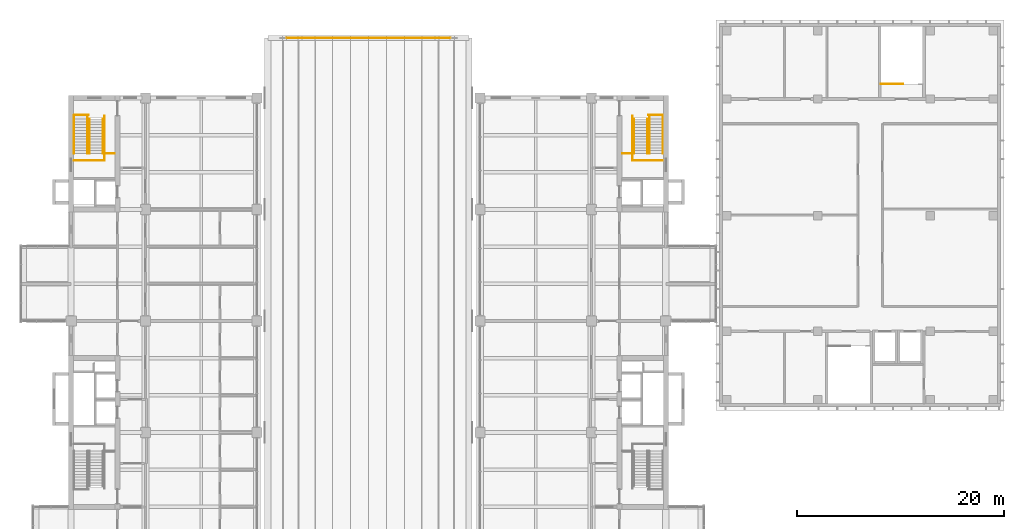
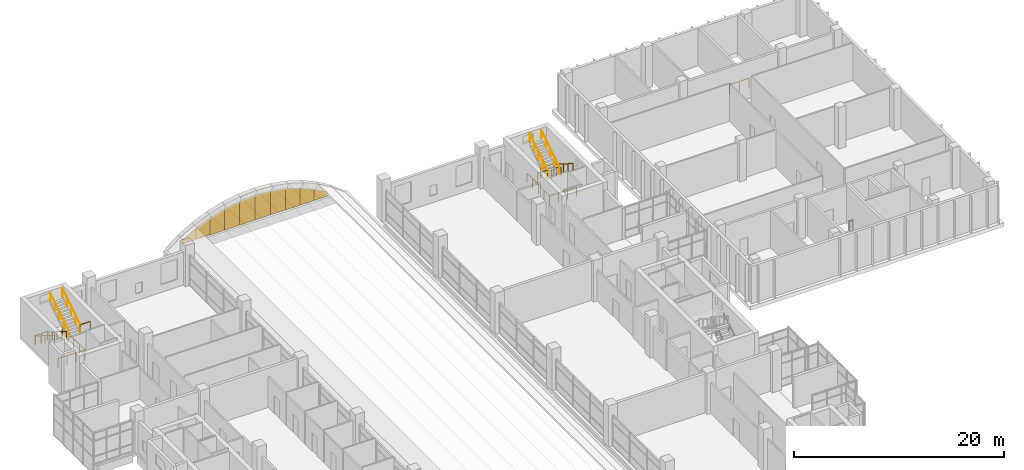
# One storey, part 42 of 45: 15 railings, 10 coverings.
"""IFC4 building model written with IfcOpenShell, lengths in metres."""

from ifc_helpers import new_model, si_unit, direction, frame, origin, origin_2d, place, context, subcontext, project, spatial, polyline, circle, outline, extrude, material, layer, layer_set, type_object, element, save


model = new_model("IFC4")

# Units and contexts
model_context = context("Model", 3, precision=1e-05, world=origin(), true_north=direction((0.0, 1.0)))
body_context = subcontext(model_context, "Body", "Model", "MODEL_VIEW")
ifc_project = project(units=[si_unit("LENGTHUNIT", "METRE"), si_unit("AREAUNIT", "SQUARE_METRE"), si_unit("VOLUMEUNIT", "CUBIC_METRE"), si_unit("PLANEANGLEUNIT", "RADIAN"), si_unit("MASSUNIT", "GRAM", prefix="KILO")], contexts=[model_context])

# Site, building, storey
site_placement = place(None, origin())
site = spatial("IfcSite", under=ifc_project, at=site_placement, CompositionType="ELEMENT")
building_placement = place(site_placement, origin())
building = spatial("IfcBuilding", under=site, at=building_placement, Name="Basin Gate Institute", CompositionType="ELEMENT")
storey_placement = place(building_placement, frame((0.0, 0.0, 22.199951171875)))
storey = spatial("IfcBuildingStorey", under=building, at=storey_placement, Name="L04", CompositionType="ELEMENT", Elevation=22.199951171875)

# Coverings
ifc_material_1 = material(Name="Laminated toughened glass", Category="glass")
ifc_layer = layer(ifc_material_1, 0.030029296875)
ifc_layer_set = layer_set([ifc_layer], Name="Atrium tympanum glazing PN88")
covering_type = type_object("IfcCoveringType", Name="Atrium tympanum glazing PN88", PredefinedType="ROOFING", material=ifc_layer_set)
covering_1_placement = place(storey_placement, frame((82.048828125, 105.699951171875, 0.0), z_axis=(0.0, -1.0, 0.0), x_axis=(1.0, 0.0, 0.0)))
element("IfcCovering", 1, at=covering_1_placement, inside=storey, type_object=covering_type, material=ifc_layer_set, Name="Atrium tympanum glazing N 2", PredefinedType="ROOFING", context=body_context, shape_type="SweptSolid", body=[
    extrude(outline(polyline([(0.0, 0.0), (1.45361328125, 0.0), (1.45361328125, 1.33740234375), (0.0, 0.485107421875), (0.0, 0.0)])), origin(), (0.0, 0.0, -1.0), 0.030029296875),
])
covering_2_placement = place(storey_placement, frame((83.50244140625, 105.699951171875, 0.0), z_axis=(0.0, -1.0, 0.0), x_axis=(1.0, 0.0, 0.0)))
element("IfcCovering", 2, at=covering_2_placement, inside=storey, type_object=covering_type, material=ifc_layer_set, Name="Atrium tympanum glazing N 3", PredefinedType="ROOFING", context=body_context, shape_type="SweptSolid", body=[
    extrude(outline(polyline([(0.0, 0.0), (1.54345703125, 0.0), (1.54345703125, 2.01318359375), (0.0, 1.33740234375), (0.0, 0.0)])), origin(), (0.0, 0.0, -1.0), 0.030029296875),
])
covering_3_placement = place(storey_placement, frame((85.0458984375, 105.699951171875, 0.0), z_axis=(0.0, -1.0, 0.0), x_axis=(1.0, 0.0, 0.0)))
element("IfcCovering", 3, at=covering_3_placement, inside=storey, type_object=covering_type, material=ifc_layer_set, Name="Atrium tympanum glazing N 4", PredefinedType="ROOFING", context=body_context, shape_type="SweptSolid", body=[
    extrude(outline(polyline([(0.0, 0.0), (1.613037109375, 0.0), (1.613037109375, 2.503173828125), (0.0, 2.01318359375), (0.0, 0.0)])), origin(), (0.0, 0.0, -1.0), 0.030029296875),
])
covering_4_placement = place(storey_placement, frame((86.658935546875, 105.699951171875, 0.0), z_axis=(0.0, -1.0, 0.0), x_axis=(1.0, 0.0, 0.0)))
element("IfcCovering", 4, at=covering_4_placement, inside=storey, type_object=covering_type, material=ifc_layer_set, Name="Atrium tympanum glazing N 5", PredefinedType="ROOFING", context=body_context, shape_type="SweptSolid", body=[
    extrude(outline(polyline([(0.0, 0.0), (1.658447265625, 0.0), (1.658447265625, 2.7998046875), (0.0, 2.503173828125), (0.0, 0.0)])), origin(), (0.0, 0.0, -1.0), 0.030029296875),
])
covering_5_placement = place(storey_placement, frame((88.3173828125, 105.699951171875, 0.0), z_axis=(0.0, -1.0, 0.0), x_axis=(1.0, 0.0, 0.0)))
element("IfcCovering", 5, at=covering_5_placement, inside=storey, type_object=covering_type, material=ifc_layer_set, Name="Atrium tympanum glazing N 6", PredefinedType="ROOFING", context=body_context, shape_type="SweptSolid", body=[
    extrude(outline(polyline([(0.0, 0.0), (1.6826171875, 0.0), (1.6826171875, 2.89892578125), (0.0, 2.7998046875), (0.0, 0.0)])), origin(), (0.0, 0.0, -1.0), 0.030029296875),
])
covering_6_placement = place(storey_placement, frame((90.0, 105.699951171875, 0.0), z_axis=(0.0, -1.0, 0.0), x_axis=(1.0, 0.0, 0.0)))
element("IfcCovering", 6, at=covering_6_placement, inside=storey, type_object=covering_type, material=ifc_layer_set, Name="Atrium tympanum glazing N 7", PredefinedType="ROOFING", context=body_context, shape_type="SweptSolid", body=[
    extrude(outline(polyline([(0.0, 0.0), (1.6826171875, 0.0), (1.6826171875, 2.7998046875), (0.0, 2.89892578125), (0.0, 0.0)])), origin(), (0.0, 0.0, -1.0), 0.030029296875),
])
covering_7_placement = place(storey_placement, frame((91.6826171875, 105.699951171875, 0.0), z_axis=(0.0, -1.0, 0.0), x_axis=(1.0, 0.0, 0.0)))
element("IfcCovering", 7, at=covering_7_placement, inside=storey, type_object=covering_type, material=ifc_layer_set, Name="Atrium tympanum glazing N 8", PredefinedType="ROOFING", context=body_context, shape_type="SweptSolid", body=[
    extrude(outline(polyline([(0.0, 0.0), (1.658447265625, 0.0), (1.658447265625, 2.503173828125), (0.0, 2.7998046875), (0.0, 0.0)])), origin(), (0.0, 0.0, -1.0), 0.030029296875),
])
covering_8_placement = place(storey_placement, frame((93.341064453125, 105.699951171875, 0.0), z_axis=(0.0, -1.0, 0.0), x_axis=(1.0, 0.0, 0.0)))
element("IfcCovering", 8, at=covering_8_placement, inside=storey, type_object=covering_type, material=ifc_layer_set, Name="Atrium tympanum glazing N 9", PredefinedType="ROOFING", context=body_context, shape_type="SweptSolid", body=[
    extrude(outline(polyline([(0.0, 0.0), (1.613037109375, 0.0), (1.613037109375, 2.01318359375), (0.0, 2.503173828125), (0.0, 0.0)])), origin(), (0.0, 0.0, -1.0), 0.030029296875),
])
covering_9_placement = place(storey_placement, frame((94.9541015625, 105.699951171875, 0.0), z_axis=(0.0, -1.0, 0.0), x_axis=(1.0, 0.0, 0.0)))
element("IfcCovering", 9, at=covering_9_placement, inside=storey, type_object=covering_type, material=ifc_layer_set, Name="Atrium tympanum glazing N 10", PredefinedType="ROOFING", context=body_context, shape_type="SweptSolid", body=[
    extrude(outline(polyline([(0.0, 0.0), (1.54345703125, 0.0), (1.54345703125, 1.33740234375), (0.0, 2.01318359375), (0.0, 0.0)])), origin(), (0.0, 0.0, -1.0), 0.030029296875),
])
covering_10_placement = place(storey_placement, frame((96.49755859375, 105.699951171875, 0.0), z_axis=(0.0, -1.0, 0.0), x_axis=(1.0, 0.0, 0.0)))
element("IfcCovering", 10, at=covering_10_placement, inside=storey, type_object=covering_type, material=ifc_layer_set, Name="Atrium tympanum glazing N 11", PredefinedType="ROOFING", context=body_context, shape_type="SweptSolid", body=[
    extrude(outline(polyline([(0.0, 0.0), (1.45361328125, 0.0), (1.45361328125, 0.485107421875), (0.0, 1.33740234375), (0.0, 0.0)])), origin(), (0.0, 0.0, -1.0), 0.030029296875),
])

# Railings
ifc_material_2 = material(Name="Stainless steel tube and glass infill", Category="steel")
railing_type_1 = type_object("IfcRailingType", Name="Block railing 1100", PredefinedType="GUARDRAIL", material=ifc_material_2)
railing_1_placement = place(storey_placement, frame((139.625, 101.2451171875, 0.0)))
element("IfcRailing", 11, at=railing_1_placement, inside=storey, type_object=railing_type_1, material=ifc_material_2, Name="Guard stairwell ST-C8 L04", PredefinedType="GUARDRAIL", context=body_context, shape_type="SweptSolid", body=[
    extrude(circle(Radius=0.02392578125, at=origin_2d()), frame((0.0, 0.0, 1.076171875), z_axis=(1.0, 0.0, 0.0), x_axis=(0.0, 1.0, 0.0)), (0.0, 0.0, 1.0), 2.125),
    extrude(circle(Radius=0.02099609375, at=origin_2d()), origin(), (0.0, 0.0, 1.0), 1.052001953125),
    extrude(circle(Radius=0.02099609375, at=origin_2d()), frame((1.0625, 0.0, 0.0)), (0.0, 0.0, 1.0), 1.052001953125),
    extrude(circle(Radius=0.02099609375, at=origin_2d()), frame((2.125, 0.0, 0.0)), (0.0, 0.0, 1.0), 1.052001953125),
])
ifc_material_3 = material(Name="Stainless steel", Category="steel")
railing_type_2 = type_object("IfcRailingType", Name="Stair guard GR1", PredefinedType="GUARDRAIL", material=ifc_material_3)
railing_2_placement = place(storey_placement, frame((64.449951171875, 98.14990234375, 0.0)))
element("IfcRailing", 12, at=railing_2_placement, inside=storey, type_object=railing_type_2, material=ifc_material_3, Name="Stair guard GR1 WN GD3-L03", PredefinedType="GUARDRAIL", context=body_context, shape_type="SweptSolid", body=[
    extrude(circle(Radius=0.02392578125, at=origin_2d()), frame((0.0, 0.0, 1.076171875), z_axis=(0.0, -1.0, 0.0), x_axis=(1.0, 0.0, 0.0)), (0.0, 0.0, 1.0), 4.31982421875),
    extrude(circle(Radius=0.02392578125, at=origin_2d()), frame((0.0, -4.31982421875, 1.076171875), z_axis=(-1.0, 0.0, 0.0), x_axis=(0.0, -1.0, 0.0)), (0.0, 0.0, 1.0), 2.949951171875),
    extrude(circle(Radius=0.02099609375, at=origin_2d()), origin(), (0.0, 0.0, 1.0), 1.052001953125),
    extrude(circle(Radius=0.02099609375, at=origin_2d()), frame((0.0, -1.080078125, 0.0)), (0.0, 0.0, 1.0), 1.052001953125),
    extrude(circle(Radius=0.02099609375, at=origin_2d()), frame((0.0, -2.159912109375, 0.0)), (0.0, 0.0, 1.0), 1.052001953125),
    extrude(circle(Radius=0.02099609375, at=origin_2d()), frame((0.0, -3.23974609375, 0.0)), (0.0, 0.0, 1.0), 1.052001953125),
    extrude(circle(Radius=0.02099609375, at=origin_2d()), frame((0.0, -4.31982421875, 0.0)), (0.0, 0.0, 1.0), 1.052001953125),
    extrude(circle(Radius=0.02099609375, at=origin_2d()), frame((-0.9833984375, -4.31982421875, 0.0)), (0.0, 0.0, 1.0), 1.052001953125),
    extrude(circle(Radius=0.02099609375, at=origin_2d()), frame((-1.966552734375, -4.31982421875, 0.0)), (0.0, 0.0, 1.0), 1.052001953125),
    extrude(circle(Radius=0.02099609375, at=origin_2d()), frame((-2.949951171875, -4.31982421875, 0.0)), (0.0, 0.0, 1.0), 1.052001953125),
])
railing_3_placement = place(storey_placement, frame((61.5, 98.22998046875, 0.0)))
element("IfcRailing", 13, at=railing_3_placement, inside=storey, type_object=railing_type_2, material=ifc_material_3, Name="Stair guard GR1 WN GD4-L03", PredefinedType="GUARDRAIL", context=body_context, shape_type="SweptSolid", body=[
    extrude(circle(Radius=0.02392578125, at=origin_2d()), frame((0.0, 0.0, 1.076171875), z_axis=(1.0, 0.0, 0.0), x_axis=(0.0, 1.0, 0.0)), (0.0, 0.0, 1.0), 1.39990234375),
    extrude(circle(Radius=0.02099609375, at=origin_2d()), origin(), (0.0, 0.0, 1.0), 1.052001953125),
    extrude(circle(Radius=0.02099609375, at=origin_2d()), frame((0.699951171875, 0.0, 0.0)), (0.0, 0.0, 1.0), 1.052001953125),
    extrude(circle(Radius=0.02099609375, at=origin_2d()), frame((1.39990234375, 0.0, 0.0)), (0.0, 0.0, 1.0), 1.052001953125),
])
railing_4_placement = place(storey_placement, frame((115.550048828125, 98.14990234375, 0.0)))
element("IfcRailing", 14, at=railing_4_placement, inside=storey, type_object=railing_type_2, material=ifc_material_3, Name="Stair guard GR1 EN GD3-L03", PredefinedType="GUARDRAIL", context=body_context, shape_type="SweptSolid", body=[
    extrude(circle(Radius=0.02392578125, at=origin_2d()), frame((0.0, 0.0, 1.076171875), z_axis=(0.0, -1.0, 0.0), x_axis=(1.0, 0.0, 0.0)), (0.0, 0.0, 1.0), 4.31982421875),
    extrude(circle(Radius=0.02392578125, at=origin_2d()), frame((0.0, -4.31982421875, 1.076171875), z_axis=(1.0, 0.0, 0.0), x_axis=(0.0, 1.0, 0.0)), (0.0, 0.0, 1.0), 2.949951171875),
    extrude(circle(Radius=0.02099609375, at=origin_2d()), origin(), (0.0, 0.0, 1.0), 1.052001953125),
    extrude(circle(Radius=0.02099609375, at=origin_2d()), frame((0.0, -1.080078125, 0.0)), (0.0, 0.0, 1.0), 1.052001953125),
    extrude(circle(Radius=0.02099609375, at=origin_2d()), frame((0.0, -2.159912109375, 0.0)), (0.0, 0.0, 1.0), 1.052001953125),
    extrude(circle(Radius=0.02099609375, at=origin_2d()), frame((0.0, -3.23974609375, 0.0)), (0.0, 0.0, 1.0), 1.052001953125),
    extrude(circle(Radius=0.02099609375, at=origin_2d()), frame((0.0, -4.31982421875, 0.0)), (0.0, 0.0, 1.0), 1.052001953125),
    extrude(circle(Radius=0.02099609375, at=origin_2d()), frame((0.9833984375, -4.31982421875, 0.0)), (0.0, 0.0, 1.0), 1.052001953125),
    extrude(circle(Radius=0.02099609375, at=origin_2d()), frame((1.966552734375, -4.31982421875, 0.0)), (0.0, 0.0, 1.0), 1.052001953125),
    extrude(circle(Radius=0.02099609375, at=origin_2d()), frame((2.949951171875, -4.31982421875, 0.0)), (0.0, 0.0, 1.0), 1.052001953125),
])
railing_5_placement = place(storey_placement, frame((118.5, 98.22998046875, 0.0)))
element("IfcRailing", 15, at=railing_5_placement, inside=storey, type_object=railing_type_2, material=ifc_material_3, Name="Stair guard GR1 EN GD4-L03", PredefinedType="GUARDRAIL", context=body_context, shape_type="SweptSolid", body=[
    extrude(circle(Radius=0.02392578125, at=origin_2d()), frame((0.0, 0.0, 1.076171875), z_axis=(-1.0, 0.0, 0.0), x_axis=(0.0, -1.0, 0.0)), (0.0, 0.0, 1.0), 1.39990234375),
    extrude(circle(Radius=0.02099609375, at=origin_2d()), origin(), (0.0, 0.0, 1.0), 1.052001953125),
    extrude(circle(Radius=0.02099609375, at=origin_2d()), frame((-0.699951171875, 0.0, 0.0)), (0.0, 0.0, 1.0), 1.052001953125),
    extrude(circle(Radius=0.02099609375, at=origin_2d()), frame((-1.39990234375, 0.0, 0.0)), (0.0, 0.0, 1.0), 1.052001953125),
])
for number, where, name in (
    (16, (64.300048828125, 94.510009765625, 2.666748046875), "Stair guard GR1 WN GD1"),
    (17, (115.699951171875, 94.510009765625, 2.666748046875), "Stair guard GR1 EN GD1"),
):
    element("IfcRailing", number, at=place(storey_placement, frame(where)), inside=storey, type_object=railing_type_2, material=ifc_material_3, Name=name, PredefinedType="GUARDRAIL", context=body_context, shape_type="SweptSolid", body=[
        extrude(circle(Radius=0.02392578125, at=origin_2d()), frame((0.0, 0.0, 1.076171875), z_axis=(0.0, 0.844224270207, 0.535990094679), x_axis=(-1.0, 0.0, 0.0)), (0.0, 0.0, 1.0), 3.980224609375),
        extrude(circle(Radius=0.02099609375, at=origin_2d()), origin(), (0.0, 0.0, 1.0), 1.052001953125),
        extrude(circle(Radius=0.02099609375, at=origin_2d()), frame((0.0, 0.840087890625, 0.533203125)), (0.0, 0.0, 1.0), 1.052001953125),
        extrude(circle(Radius=0.02099609375, at=origin_2d()), frame((0.0, 1.68017578125, 1.066650390625)), (0.0, 0.0, 1.0), 1.052001953125),
        extrude(circle(Radius=0.02099609375, at=origin_2d()), frame((0.0, 2.52001953125, 1.60009765625)), (0.0, 0.0, 1.0), 1.052001953125),
        extrude(circle(Radius=0.02099609375, at=origin_2d()), frame((0.0, 3.360107421875, 2.13330078125)), (0.0, 0.0, 1.0), 1.052001953125),
    ])
ifc_material_4 = material(Name="Stainless steel", Category="steel")
railing_type_3 = type_object("IfcRailingType", Name="Stair guard GR3", PredefinedType="GUARDRAIL", material=ifc_material_4)
railing_6_placement = place(storey_placement, frame((64.300048828125, 94.510009765625, 2.489013671875)))
element("IfcRailing", 18, at=railing_6_placement, inside=storey, type_object=railing_type_3, material=ifc_material_4, Name="Stair guard GR3 WN GD2", PredefinedType="GUARDRAIL", context=body_context, shape_type="SweptSolid", body=[
    extrude(circle(Radius=0.02392578125, at=origin_2d()), frame((0.0, 0.0, 1.1259765625), z_axis=(1.0, 0.0, 0.0), x_axis=(0.0, 1.0, 0.0)), (0.0, 0.0, 1.0), 1.119873046875),
    extrude(circle(Radius=0.02099609375, at=origin_2d()), origin(), (0.0, 0.0, 1.0), 1.101806640625),
    extrude(circle(Radius=0.02099609375, at=origin_2d()), frame((1.119873046875, 0.0, 0.0)), (0.0, 0.0, 1.0), 1.101806640625),
])
railing_7_placement = place(storey_placement, frame((115.699951171875, 94.510009765625, 2.489013671875)))
element("IfcRailing", 19, at=railing_7_placement, inside=storey, type_object=railing_type_3, material=ifc_material_4, Name="Stair guard GR3 EN GD2", PredefinedType="GUARDRAIL", context=body_context, shape_type="SweptSolid", body=[
    extrude(circle(Radius=0.02392578125, at=origin_2d()), frame((0.0, 0.0, 1.1259765625), z_axis=(-1.0, 0.0, 0.0), x_axis=(0.0, -1.0, 0.0)), (0.0, 0.0, 1.0), 1.119873046875),
    extrude(circle(Radius=0.02099609375, at=origin_2d()), origin(), (0.0, 0.0, 1.0), 1.101806640625),
    extrude(circle(Radius=0.02099609375, at=origin_2d()), frame((-1.119873046875, 0.0, 0.0)), (0.0, 0.0, 1.0), 1.101806640625),
])
ifc_material_5 = material(Name="Stainless steel", Category="steel")
railing_type_4 = type_object("IfcRailingType", Name="Stair handrail HR1", PredefinedType="HANDRAIL", material=ifc_material_5)
for number, where, name in (
    (20, (61.5, 98.14990234375, 0.177734375), "Stair handrail HR1 WN HR1"),
    (21, (62.800048828125, 98.14990234375, 0.177734375), "Stair handrail HR1 WN HR2"),
):
    element("IfcRailing", number, at=place(storey_placement, frame(where)), inside=storey, type_object=railing_type_4, material=ifc_material_5, Name=name, PredefinedType="HANDRAIL", context=body_context, shape_type="SweptSolid", body=[
        extrude(circle(Radius=0.02392578125, at=origin_2d()), frame((0.0, 0.0, 0.89599609375), z_axis=(0.0, -0.844188005686, 0.536047209727), x_axis=(1.0, 0.0, 0.0)), (0.0, 0.0, 1.0), 4.311767578125),
        extrude(circle(Radius=0.02099609375, at=origin_2d()), origin(), (0.0, 0.0, 1.0), 0.871826171875),
        extrude(circle(Radius=0.02099609375, at=origin_2d()), frame((0.0, -0.909912109375, 0.577880859375)), (0.0, 0.0, 1.0), 0.871826171875),
        extrude(circle(Radius=0.02099609375, at=origin_2d()), frame((0.0, -1.81982421875, 1.15576171875)), (0.0, 0.0, 1.0), 0.871826171875),
        extrude(circle(Radius=0.02099609375, at=origin_2d()), frame((0.0, -2.72998046875, 1.7333984375)), (0.0, 0.0, 1.0), 0.871826171875),
        extrude(circle(Radius=0.02099609375, at=origin_2d()), frame((0.0, -3.639892578125, 2.311279296875)), (0.0, 0.0, 1.0), 0.871826171875),
    ])
railing_8_placement = place(storey_placement, frame((63.0, 94.510009765625, 2.666748046875)))
element("IfcRailing", 22, at=railing_8_placement, inside=storey, type_object=railing_type_4, material=ifc_material_5, Name="Stair handrail HR1 WN HR3", PredefinedType="HANDRAIL", context=body_context, shape_type="SweptSolid", body=[
    extrude(circle(Radius=0.02392578125, at=origin_2d()), frame((0.0, 0.0, 0.89599609375), z_axis=(0.0, 0.844224270207, 0.535990094679), x_axis=(-1.0, 0.0, 0.0)), (0.0, 0.0, 1.0), 3.980224609375),
    extrude(circle(Radius=0.02099609375, at=origin_2d()), origin(), (0.0, 0.0, 1.0), 0.871826171875),
    extrude(circle(Radius=0.02099609375, at=origin_2d()), frame((0.0, 0.840087890625, 0.533203125)), (0.0, 0.0, 1.0), 0.871826171875),
    extrude(circle(Radius=0.02099609375, at=origin_2d()), frame((0.0, 1.68017578125, 1.066650390625)), (0.0, 0.0, 1.0), 0.871826171875),
    extrude(circle(Radius=0.02099609375, at=origin_2d()), frame((0.0, 2.52001953125, 1.60009765625)), (0.0, 0.0, 1.0), 0.871826171875),
    extrude(circle(Radius=0.02099609375, at=origin_2d()), frame((0.0, 3.360107421875, 2.13330078125)), (0.0, 0.0, 1.0), 0.871826171875),
])
for number, where, name in (
    (23, (118.5, 98.14990234375, 0.177734375), "Stair handrail HR1 EN HR1"),
    (24, (117.199951171875, 98.14990234375, 0.177734375), "Stair handrail HR1 EN HR2"),
):
    element("IfcRailing", number, at=place(storey_placement, frame(where)), inside=storey, type_object=railing_type_4, material=ifc_material_5, Name=name, PredefinedType="HANDRAIL", context=body_context, shape_type="SweptSolid", body=[
        extrude(circle(Radius=0.02392578125, at=origin_2d()), frame((0.0, 0.0, 0.89599609375), z_axis=(0.0, -0.844188005686, 0.536047209727), x_axis=(1.0, 0.0, 0.0)), (0.0, 0.0, 1.0), 4.311767578125),
        extrude(circle(Radius=0.02099609375, at=origin_2d()), origin(), (0.0, 0.0, 1.0), 0.871826171875),
        extrude(circle(Radius=0.02099609375, at=origin_2d()), frame((0.0, -0.909912109375, 0.577880859375)), (0.0, 0.0, 1.0), 0.871826171875),
        extrude(circle(Radius=0.02099609375, at=origin_2d()), frame((0.0, -1.81982421875, 1.15576171875)), (0.0, 0.0, 1.0), 0.871826171875),
        extrude(circle(Radius=0.02099609375, at=origin_2d()), frame((0.0, -2.72998046875, 1.7333984375)), (0.0, 0.0, 1.0), 0.871826171875),
        extrude(circle(Radius=0.02099609375, at=origin_2d()), frame((0.0, -3.639892578125, 2.311279296875)), (0.0, 0.0, 1.0), 0.871826171875),
    ])
railing_9_placement = place(storey_placement, frame((117.0, 94.510009765625, 2.666748046875)))
element("IfcRailing", 25, at=railing_9_placement, inside=storey, type_object=railing_type_4, material=ifc_material_5, Name="Stair handrail HR1 EN HR3", PredefinedType="HANDRAIL", context=body_context, shape_type="SweptSolid", body=[
    extrude(circle(Radius=0.02392578125, at=origin_2d()), frame((0.0, 0.0, 0.89599609375), z_axis=(0.0, 0.844224270207, 0.535990094679), x_axis=(-1.0, 0.0, 0.0)), (0.0, 0.0, 1.0), 3.980224609375),
    extrude(circle(Radius=0.02099609375, at=origin_2d()), origin(), (0.0, 0.0, 1.0), 0.871826171875),
    extrude(circle(Radius=0.02099609375, at=origin_2d()), frame((0.0, 0.840087890625, 0.533203125)), (0.0, 0.0, 1.0), 0.871826171875),
    extrude(circle(Radius=0.02099609375, at=origin_2d()), frame((0.0, 1.68017578125, 1.066650390625)), (0.0, 0.0, 1.0), 0.871826171875),
    extrude(circle(Radius=0.02099609375, at=origin_2d()), frame((0.0, 2.52001953125, 1.60009765625)), (0.0, 0.0, 1.0), 0.871826171875),
    extrude(circle(Radius=0.02099609375, at=origin_2d()), frame((0.0, 3.360107421875, 2.13330078125)), (0.0, 0.0, 1.0), 0.871826171875),
])

save(model, "model.ifc")
